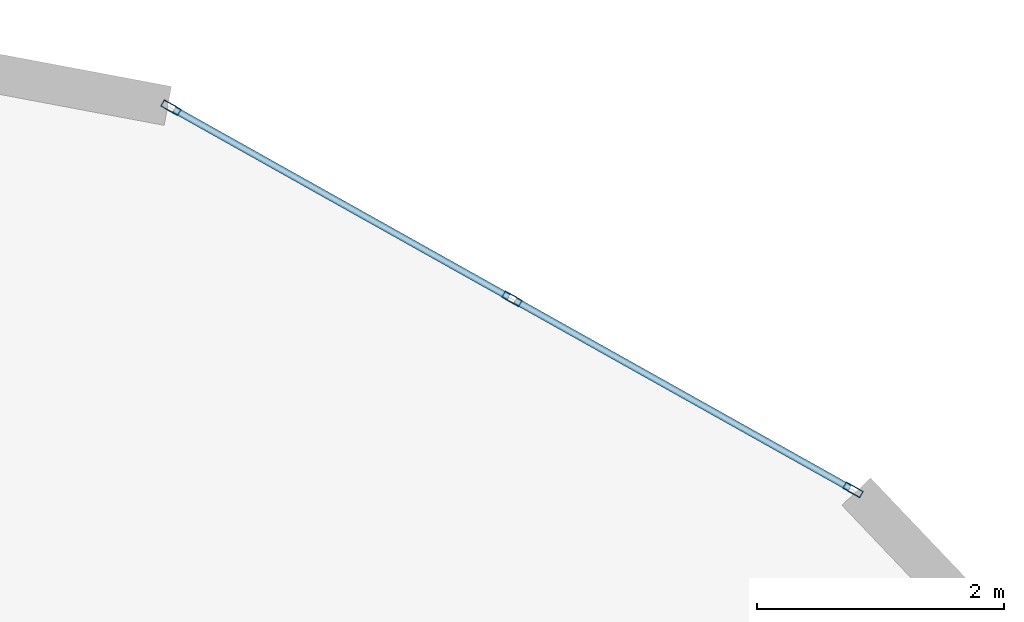
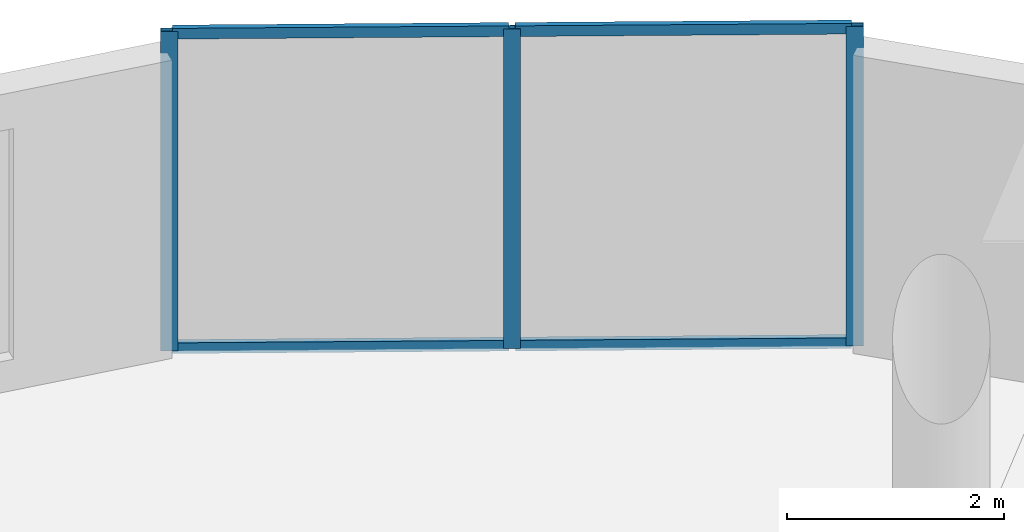
# One storey, part 15 of 21: 7 members, 1 element without a shape of its own.
"""IFC4 building model written with IfcOpenShell, lengths in metres."""

from ifc_helpers import new_model, si_unit, direction, frame, origin, origin_2d, place, context, subcontext, project, spatial, hollow_rectangle, extrude, source, transform, mapped, material, layer, layer_set, material_profile, profile_set, type_object, element, aggregate, save


model = new_model("IFC4")

# Units and contexts
model_context = context("Model", 3, precision=1e-05, world=origin(), true_north=direction((0.0, 1.0)))
body_context = subcontext(model_context, "Body", "Model", "MODEL_VIEW")
ifc_project = project(units=[si_unit("LENGTHUNIT", "METRE"), si_unit("AREAUNIT", "SQUARE_METRE"), si_unit("VOLUMEUNIT", "CUBIC_METRE"), si_unit("PLANEANGLEUNIT", "RADIAN"), si_unit("MASSUNIT", "GRAM", prefix="KILO")], contexts=[model_context])

# Site, building, storey
site_placement = place(None, origin())
site = spatial("IfcSite", under=ifc_project, at=site_placement, CompositionType="ELEMENT")
building_placement = place(site_placement, origin())
building = spatial("IfcBuilding", under=site, at=building_placement, Name="Solvirekh Grand Hotel", CompositionType="ELEMENT")
storey_placement = place(building_placement, frame((0.0, 0.0, 220.0)))
storey = spatial("IfcBuildingStorey", under=building, at=storey_placement, Name="L57", CompositionType="ELEMENT", Elevation=220.0)

# Curtain wall, members
ifc_material = material(Name="Anodized Bronze Aluminium 6063-T6", Category="aluminium")
ifc_layer = layer(ifc_material, 0.159912109375)
ifc_layer_set = layer_set([ifc_layer], Name="Anodized Bronze Aluminium 6063-T6")
curtain_wall_type = type_object("IfcCurtainWallType", Name="CW_Sys4_HighZoneFlushBronzeCW", PredefinedType="NOTDEFINED", material=ifc_layer_set)
curtain_wall_placement = place(storey_placement, origin())
curtain_wall = element("IfcCurtainWall", 1, at=curtain_wall_placement, inside=storey, type_object=curtain_wall_type, Name="L57 unitised bronze-glass curtain wall CW-L57-C08", PredefinedType="NOTDEFINED")
ifc_material_profile_1 = material_profile(ifc_material, hollow_rectangle(XDim=0.06005859375, YDim=0.159912109375, WallThickness=0.0048828125, at=origin_2d()), Name="ALU RHS 160X60X5")
ifc_profile_set_1 = profile_set([ifc_material_profile_1], Name="Anodized Bronze Aluminium 6063-T6")
member_type_1 = type_object("IfcMemberType", Name="CWMullion_Sys4", PredefinedType="MULLION", material=ifc_profile_set_1)
shared_shape_1 = source(origin(), body_context, "Body", "SweptSolid", [
    extrude(hollow_rectangle(XDim=0.06005859375, YDim=0.159912109375, WallThickness=0.0048828125, at=origin_2d()), origin(), (0.0, 0.0, 1.0), 3.60009765625),
])
member_1_placement = place(storey_placement, frame((9.015869140625, 17.214599609375, 0.0), z_axis=(0.0, 0.0, 1.0), x_axis=(-0.488789228615, -0.87240190852, 0.0)))
member_1 = element("IfcMember", 2, at=member_1_placement, type_object=member_type_1, Name="U04 mullion 1", PredefinedType="MULLION", context=body_context, shape_type="MappedRepresentation", body=[
    mapped(shared_shape_1, transform((0.0, 0.0, 0.0), x_axis=(1.0, 0.0, 0.0), y_axis=(0.0, 1.0, 0.0), z_axis=(0.0, 0.0, 1.0), scale=1.0)),
])
member_2_placement = place(storey_placement, frame((6.2548828125, 18.761474609375, 0.0), z_axis=(0.0, 0.0, 1.0), x_axis=(-0.488789228615, -0.87240190852, 0.0)))
member_2 = element("IfcMember", 3, at=member_2_placement, type_object=member_type_1, Name="U04 mullion 2", PredefinedType="MULLION", context=body_context, shape_type="MappedRepresentation", body=[
    mapped(shared_shape_1, transform((0.0, 0.0, 0.0), x_axis=(1.0, 0.0, 0.0), y_axis=(0.0, 1.0, 0.0), z_axis=(0.0, 0.0, 1.0), scale=1.0)),
])
member_3_placement = place(storey_placement, frame((3.494140625, 20.308349609375, 0.0), z_axis=(0.0, 0.0, 1.0), x_axis=(-0.488789228615, -0.87240190852, 0.0)))
member_3 = element("IfcMember", 4, at=member_3_placement, type_object=member_type_1, Name="U04 mullion 3", PredefinedType="MULLION", context=body_context, shape_type="MappedRepresentation", body=[
    mapped(shared_shape_1, transform((0.0, 0.0, 0.0), x_axis=(1.0, 0.0, 0.0), y_axis=(0.0, 1.0, 0.0), z_axis=(0.0, 0.0, 1.0), scale=1.0)),
])
ifc_material_profile_2 = material_profile(ifc_material, hollow_rectangle(XDim=0.054931640625, YDim=0.1201171875, WallThickness=0.00390625, at=origin_2d()), Name="ALU RHS 120X55X4")
ifc_profile_set_2 = profile_set([ifc_material_profile_2], Name="Anodized Bronze Aluminium 6063-T6")
member_type_2 = type_object("IfcMemberType", Name="CWTransom_Sys4", PredefinedType="USERDEFINED", material=ifc_profile_set_2)
shared_shape_2 = source(origin(), body_context, "Body", "SweptSolid", [
    extrude(hollow_rectangle(XDim=0.054931640625, YDim=0.1201171875, WallThickness=0.00390625, at=origin_2d()), origin(), (0.0, 0.0, 1.0), 3.104736328125),
])
member_4_placement = place(storey_placement, frame((8.98974609375, 17.229248046875, 0.027587890625), z_axis=(-0.872393353878, 0.488804496818, 0.0), x_axis=(-0.488804496818, -0.872393353878, 0.0)))
member_4 = element("IfcMember", 5, at=member_4_placement, type_object=member_type_2, Name="U04 transom 1.1", ObjectType="TRANSOM", PredefinedType="USERDEFINED", context=body_context, shape_type="MappedRepresentation", body=[
    mapped(shared_shape_2, transform((0.0, 0.0, 0.0), x_axis=(1.0, 0.0, 0.0), y_axis=(0.0, 1.0, 0.0), z_axis=(0.0, 0.0, 1.0), scale=1.0)),
])
member_5_placement = place(storey_placement, frame((8.98974609375, 17.229248046875, 3.572509765625), z_axis=(-0.872393353878, 0.488804496818, 0.0), x_axis=(-0.488804496818, -0.872393353878, 0.0)))
member_5 = element("IfcMember", 6, at=member_5_placement, type_object=member_type_2, Name="U04 transom 1.2", ObjectType="TRANSOM", PredefinedType="USERDEFINED", context=body_context, shape_type="MappedRepresentation", body=[
    mapped(shared_shape_2, transform((0.0, 0.0, 0.0), x_axis=(1.0, 0.0, 0.0), y_axis=(0.0, 1.0, 0.0), z_axis=(0.0, 0.0, 1.0), scale=1.0)),
])
member_6_placement = place(storey_placement, frame((6.228759765625, 18.776123046875, 0.027587890625), z_axis=(-0.872393353878, 0.488804496818, 0.0), x_axis=(-0.488804496818, -0.872393353878, 0.0)))
member_6 = element("IfcMember", 7, at=member_6_placement, type_object=member_type_2, Name="U04 transom 2.1", ObjectType="TRANSOM", PredefinedType="USERDEFINED", context=body_context, shape_type="MappedRepresentation", body=[
    mapped(shared_shape_2, transform((0.0, 0.0, 0.0), x_axis=(1.0, 0.0, 0.0), y_axis=(0.0, 1.0, 0.0), z_axis=(0.0, 0.0, 1.0), scale=1.0)),
])
member_7_placement = place(storey_placement, frame((6.228759765625, 18.776123046875, 3.572509765625), z_axis=(-0.872393353878, 0.488804496818, 0.0), x_axis=(-0.488804496818, -0.872393353878, 0.0)))
member_7 = element("IfcMember", 8, at=member_7_placement, type_object=member_type_2, Name="U04 transom 2.2", ObjectType="TRANSOM", PredefinedType="USERDEFINED", context=body_context, shape_type="MappedRepresentation", body=[
    mapped(shared_shape_2, transform((0.0, 0.0, 0.0), x_axis=(1.0, 0.0, 0.0), y_axis=(0.0, 1.0, 0.0), z_axis=(0.0, 0.0, 1.0), scale=1.0)),
])
aggregate(curtain_wall, [member_1, member_2, member_3, member_4, member_5, member_6, member_7])

save(model, "model.ifc")
